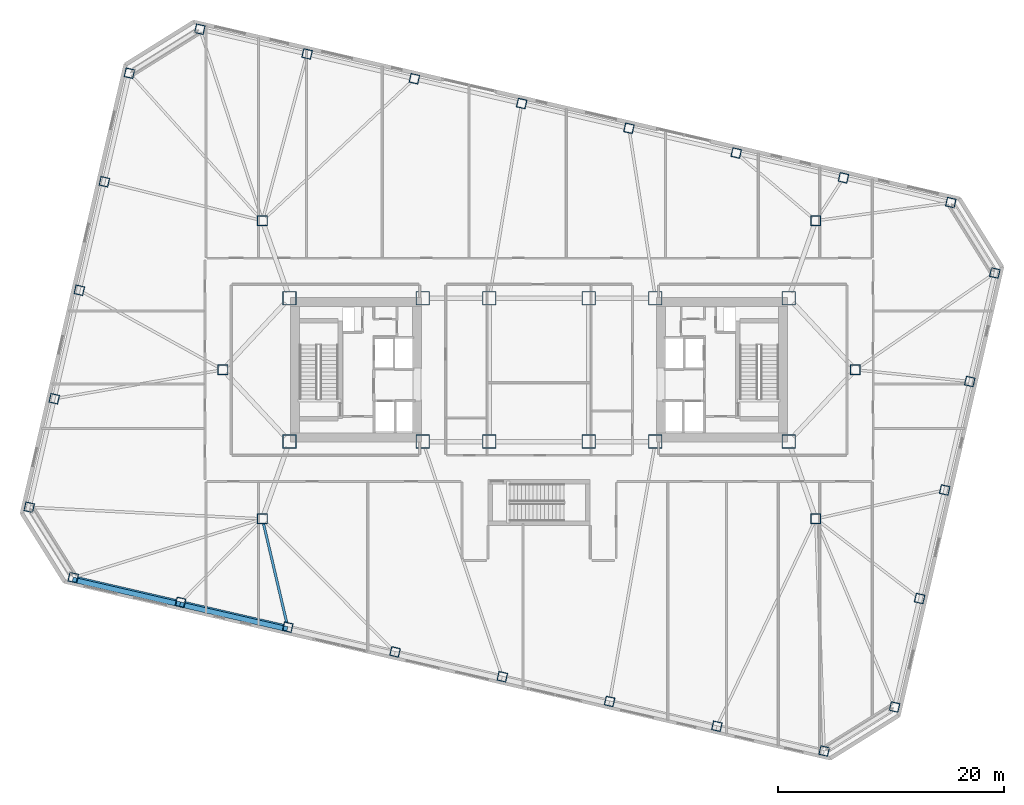
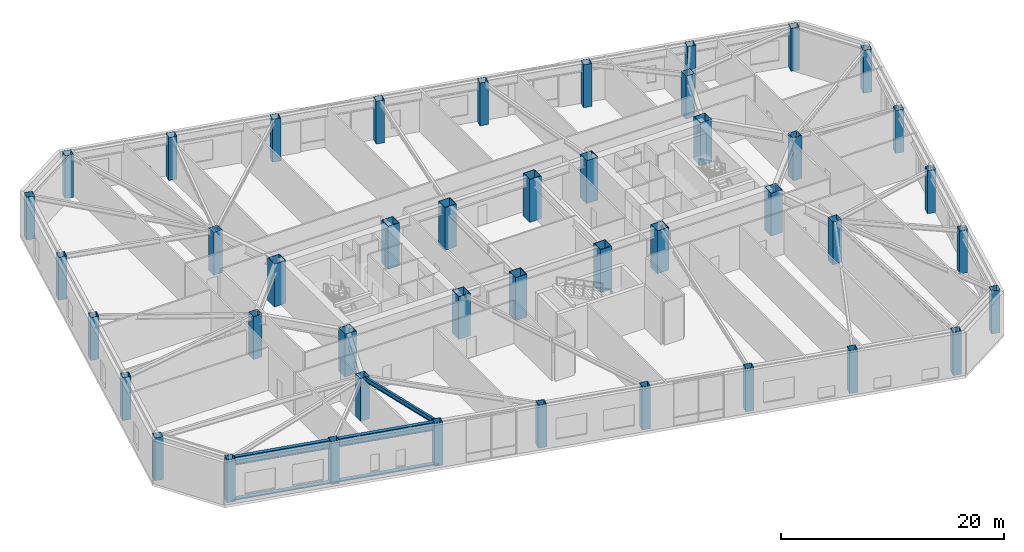
# One storey, part 1 of 21: 44 columns, 3 beams, 2 members.
"""IFC4 building model written with IfcOpenShell, lengths in metres."""

from ifc_helpers import new_model, si_unit, direction, frame, origin, origin_2d, place, context, subcontext, project, spatial, rectangle, hollow_rectangle, i_section, extrude, material, material_profile, profile_set, type_object, element, save


model = new_model("IFC4")

# Units and contexts
model_context = context("Model", 3, precision=1e-05, world=origin(), true_north=direction((0.0, 1.0)))
body_context = subcontext(model_context, "Body", "Model", "MODEL_VIEW")
ifc_project = project(units=[si_unit("LENGTHUNIT", "METRE"), si_unit("AREAUNIT", "SQUARE_METRE"), si_unit("VOLUMEUNIT", "CUBIC_METRE"), si_unit("PLANEANGLEUNIT", "RADIAN"), si_unit("MASSUNIT", "GRAM", prefix="KILO")], contexts=[model_context])

# Site, building, storey
site_placement = place(None, origin())
site = spatial("IfcSite", under=ifc_project, at=site_placement, CompositionType="ELEMENT")
building_placement = place(site_placement, origin())
building = spatial("IfcBuilding", under=site, at=building_placement, Name="Tavrogorsk Clinical Tower", CompositionType="ELEMENT")
storey_placement = place(building_placement, frame((0.0, 0.0, 8.39990234375)))
storey = spatial("IfcBuildingStorey", under=building, at=storey_placement, Name="L01", CompositionType="ELEMENT", Elevation=8.39990234375)

# Columns
ifc_material_1 = material(Name="Structural steel S440", Category="steel")
ifc_material_profile_1 = material_profile(ifc_material_1, hollow_rectangle(XDim=1.199951171875, YDim=1.199951171875, WallThickness=0.050048828125, at=origin_2d()), Name="BOX-1200x1200x50")
ifc_profile_set_1 = profile_set([ifc_material_profile_1], Name="Structural steel S440")
column_type_1 = type_object("IfcColumnType", Name="MegaCol_BOX1200", PredefinedType="COLUMN", material=ifc_profile_set_1)
for number, where, z_axis, x_axis, name in (
    (1, (-22.10009765625, -6.35009765625, 0.0), (0.0, 0.0, 1.0), (1.0, 0.0, 0.0), "L01 Mega Column MC-W1"),
    (2, (-22.10009765625, 6.35009765625, 0.0), (0.0, 0.0, 1.0), (1.0, 0.0, 0.0), "L01 Mega Column MC-W2"),
    (3, (-10.300048828125, -6.35009765625, 0.0), (0.0, 0.0, 1.0), (1.0, 0.0, 0.0), "L01 Mega Column MC-W3"),
    (4, (-10.300048828125, 6.35009765625, 0.0), (0.0, 0.0, 1.0), (1.0, 0.0, 0.0), "L01 Mega Column MC-W4"),
    (5, (10.300048828125, -6.35009765625, 0.0), (0.0, 0.0, 1.0), (1.0, 0.0, 0.0), "L01 Mega Column MC-E1"),
    (6, (10.300048828125, 6.35009765625, 0.0), (0.0, 0.0, 1.0), (1.0, 0.0, 0.0), "L01 Mega Column MC-E2"),
    (7, (22.10009765625, -6.35009765625, 0.0), (0.0, 0.0, 1.0), (1.0, 0.0, 0.0), "L01 Mega Column MC-E3"),
    (8, (22.10009765625, 6.35009765625, 0.0), (0.0, 0.0, 1.0), (1.0, 0.0, 0.0), "L01 Mega Column MC-E4"),
    (9, (-4.39990234375, -6.35009765625, 0.0), (0.0, 0.0, 1.0), (1.0, 0.0, 0.0), "L01 Mega Column MC-C1"),
    (10, (4.39990234375, -6.35009765625, 0.0), (0.0, 0.0, 1.0), (1.0, 0.0, 0.0), "L01 Mega Column MC-C2"),
    (11, (-4.39990234375, 6.35009765625, 0.0), (0.0, 0.0, 1.0), (1.0, 0.0, 0.0), "L01 Mega Column MC-C3"),
    (12, (4.39990234375, 6.35009765625, 0.0), (0.0, 0.0, 1.0), (1.0, 0.0, 0.0), "L01 Mega Column MC-C4"),
):
    element("IfcColumn", number, at=place(storey_placement, frame(where, z_axis=z_axis, x_axis=x_axis)), inside=storey, type_object=column_type_1, Name=name, PredefinedType="COLUMN", context=body_context, shape_type="SweptSolid", body=[
        extrude(hollow_rectangle(XDim=1.199951171875, YDim=1.199951171875, WallThickness=0.050048828125, at=origin_2d()), origin(), (0.0, 0.0, 1.0), 4.7001953125),
    ])
ifc_material_2 = material(Name="Structural steel S440", Category="steel")
ifc_material_profile_2 = material_profile(ifc_material_2, hollow_rectangle(XDim=0.89990234375, YDim=0.89990234375, WallThickness=0.0400390625, at=origin_2d()), Name="BOX-900x900x40")
ifc_profile_set_2 = profile_set([ifc_material_profile_2], Name="Structural steel S440")
column_type_2 = type_object("IfcColumnType", Name="MegaCol_BOX900", PredefinedType="COLUMN", material=ifc_profile_set_2)
for number, where, z_axis, x_axis, name in (
    (13, (-24.5, -13.199951171875, 0.0), (0.0, 0.0, 1.0), (1.0, 0.0, 0.0), "L01 Spine Pilotis Column MC-P1"),
    (14, (24.5, -13.199951171875, 0.0), (0.0, 0.0, 1.0), (1.0, 0.0, 0.0), "L01 Spine Pilotis Column MC-P2"),
    (15, (-24.5, 13.199951171875, 0.0), (0.0, 0.0, 1.0), (1.0, 0.0, 0.0), "L01 Spine Pilotis Column MC-P3"),
    (16, (24.5, 13.199951171875, 0.0), (0.0, 0.0, 1.0), (1.0, 0.0, 0.0), "L01 Spine Pilotis Column MC-P4"),
    (17, (-28.0, 0.0, 0.0), (0.0, 0.0, 1.0), (1.0, 0.0, 0.0), "L01 Spine Pilotis Column MC-P5"),
    (18, (28.0, 0.0, 0.0), (0.0, 0.0, 1.0), (1.0, 0.0, 0.0), "L01 Spine Pilotis Column MC-P6"),
):
    element("IfcColumn", number, at=place(storey_placement, frame(where, z_axis=z_axis, x_axis=x_axis)), inside=storey, type_object=column_type_2, Name=name, PredefinedType="COLUMN", context=body_context, shape_type="SweptSolid", body=[
        extrude(hollow_rectangle(XDim=0.89990234375, YDim=0.89990234375, WallThickness=0.0400390625, at=origin_2d()), origin(), (0.0, 0.0, 1.0), 4.7001953125),
    ])
ifc_material_3 = material(Name="Structural steel S440", Category="steel")
ifc_material_profile_3 = material_profile(ifc_material_3, hollow_rectangle(XDim=0.800048828125, YDim=0.800048828125, WallThickness=0.035888671875, at=origin_2d()), Name="BOX-800x800x36")
ifc_profile_set_3 = profile_set([ifc_material_profile_3], Name="Structural steel S440")
column_type_3 = type_object("IfcColumnType", Name="PerimCol_B1_BOX800", PredefinedType="COLUMN", material=ifc_profile_set_3)
for number, where, z_axis, x_axis, name in (
    (19, (-41.251220703125, -18.406005859375, 0.0), (0.0, 0.0, 1.0), (0.974370064785, -0.224951054344, 0.0), "L01 Perimeter Column S1"),
    (20, (-31.75244140625, -20.598876953125, 0.0), (0.0, 0.0, 1.0), (0.974370064785, -0.224951054344, 0.0), "L01 Perimeter Column S2"),
    (21, (-22.25390625, -22.7919921875, 0.0), (0.0, 0.0, 1.0), (0.974370064785, -0.224951054344, 0.0), "L01 Perimeter Column S3"),
    (22, (-12.755126953125, -24.98486328125, 0.0), (0.0, 0.0, 1.0), (0.974370064785, -0.224951054344, 0.0), "L01 Perimeter Column S4"),
    (23, (-3.25634765625, -27.177734375, 0.0), (0.0, 0.0, 1.0), (0.974370064785, -0.224951054344, 0.0), "L01 Perimeter Column S5"),
    (24, (6.2421875, -29.37060546875, 0.0), (0.0, 0.0, 1.0), (0.974370064785, -0.224951054344, 0.0), "L01 Perimeter Column S6"),
    (25, (15.740966796875, -31.563720703125, 0.0), (0.0, 0.0, 1.0), (0.974370064785, -0.224951054344, 0.0), "L01 Perimeter Column S7"),
    (26, (25.23974609375, -33.756591796875, 0.0), (0.0, 0.0, 1.0), (0.974370064785, -0.224951054344, 0.0), "L01 Perimeter Column S8"),
    (27, (36.451416015625, 14.805908203125, 0.0), (0.0, 0.0, 1.0), (0.974370064785, -0.224951054344, 0.0), "L01 Perimeter Column N1"),
    (28, (26.952392578125, 16.998779296875, 0.0), (0.0, 0.0, 1.0), (0.974370064785, -0.224951054344, 0.0), "L01 Perimeter Column N2"),
    (29, (17.453857421875, 19.19189453125, 0.0), (0.0, 0.0, 1.0), (0.974370064785, -0.224951054344, 0.0), "L01 Perimeter Column N3"),
    (30, (7.955078125, 21.384765625, 0.0), (0.0, 0.0, 1.0), (0.974370064785, -0.224951054344, 0.0), "L01 Perimeter Column N4"),
    (31, (-1.543701171875, 23.577880859375, 0.0), (0.0, 0.0, 1.0), (0.974370064785, -0.224951054344, 0.0), "L01 Perimeter Column N5"),
    (32, (-11.042236328125, 25.770751953125, 0.0), (0.0, 0.0, 1.0), (0.974370064785, -0.224951054344, 0.0), "L01 Perimeter Column N6"),
    (33, (-20.541015625, 27.963623046875, 0.0), (0.0, 0.0, 1.0), (0.974370064785, -0.224951054344, 0.0), "L01 Perimeter Column N7"),
    (34, (-30.039794921875, 30.156494140625, 0.0), (0.0, 0.0, 1.0), (0.974370064785, -0.224951054344, 0.0), "L01 Perimeter Column N8"),
    (35, (31.476318359375, -29.859619140625, 0.0), (0.0, 0.0, 1.0), (0.974370064785, -0.224951054344, 0.0), "L01 Perimeter Column E1"),
    (36, (33.694091796875, -20.25244140625, 0.0), (0.0, 0.0, 1.0), (0.974370064785, -0.224951054344, 0.0), "L01 Perimeter Column E2"),
    (37, (35.912109375, -10.64501953125, 0.0), (0.0, 0.0, 1.0), (0.974370064785, -0.224951054344, 0.0), "L01 Perimeter Column E3"),
    (38, (38.130126953125, -1.037841796875, 0.0), (0.0, 0.0, 1.0), (0.974370064785, -0.224951054344, 0.0), "L01 Perimeter Column E4"),
    (39, (40.348388671875, 8.569580078125, 0.0), (0.0, 0.0, 1.0), (0.974370064785, -0.224951054344, 0.0), "L01 Perimeter Column E5"),
    (40, (-36.276123046875, 26.259765625, 0.0), (0.0, 0.0, 1.0), (0.974370064785, -0.224951054344, 0.0), "L01 Perimeter Column W1"),
    (41, (-38.494140625, 16.65234375, 0.0), (0.0, 0.0, 1.0), (0.974370064785, -0.224951054344, 0.0), "L01 Perimeter Column W2"),
    (42, (-40.712158203125, 7.045166015625, 0.0), (0.0, 0.0, 1.0), (0.974370064785, -0.224951054344, 0.0), "L01 Perimeter Column W3"),
    (43, (-42.93017578125, -2.562255859375, 0.0), (0.0, 0.0, 1.0), (0.974370064785, -0.224951054344, 0.0), "L01 Perimeter Column W4"),
    (44, (-45.148193359375, -12.16943359375, 0.0), (0.0, 0.0, 1.0), (0.974370064785, -0.224951054344, 0.0), "L01 Perimeter Column W5"),
):
    element("IfcColumn", number, at=place(storey_placement, frame(where, z_axis=z_axis, x_axis=x_axis)), inside=storey, type_object=column_type_3, Name=name, PredefinedType="COLUMN", context=body_context, shape_type="SweptSolid", body=[
        extrude(hollow_rectangle(XDim=0.800048828125, YDim=0.800048828125, WallThickness=0.035888671875, at=origin_2d()), origin(), (0.0, 0.0, 1.0), 4.7001953125),
    ])

# Members
ifc_material_4 = material(Name="Anodised aluminium alloy AW-6063", Category="aluminium")
ifc_material_profile_4 = material_profile(ifc_material_4, rectangle(XDim=0.449951171875, YDim=0.1201171875, at=origin_2d()), Name="ALU-SUNSHADE-450x120")
ifc_profile_set_4 = profile_set([ifc_material_profile_4], Name="Anodised aluminium alloy AW-6063")
member_type = type_object("IfcMemberType", Name="ChicagoSunshade_450x120", PredefinedType="USERDEFINED", material=ifc_profile_set_4)
member_1_placement = place(storey_placement, frame((-41.291748046875, -18.581298828125, 0.18017578125), z_axis=(0.974366709214, -0.224965588425, 0.0), x_axis=(0.224965588425, 0.974366709214, 0.0)))
element("IfcMember", 45, at=member_1_placement, inside=storey, type_object=member_type, Name="L01 South Aluminium Sunshade S1", ObjectType="SUNSHADE", PredefinedType="USERDEFINED", context=body_context, shape_type="SweptSolid", body=[
    extrude(rectangle(XDim=0.449951171875, YDim=0.1201171875, at=origin_2d()), origin(), (0.0, 0.0, 1.0), 9.748779296875),
])
member_2_placement = place(storey_placement, frame((-31.79296875, -20.7744140625, 0.18017578125), z_axis=(0.974370931236, -0.2249473013, 0.0), x_axis=(0.2249473013, 0.974370931236, 0.0)))
element("IfcMember", 46, at=member_2_placement, inside=storey, type_object=member_type, Name="L01 South Aluminium Sunshade S2", ObjectType="SUNSHADE", PredefinedType="USERDEFINED", context=body_context, shape_type="SweptSolid", body=[
    extrude(rectangle(XDim=0.449951171875, YDim=0.1201171875, at=origin_2d()), origin(), (0.0, 0.0, 1.0), 9.748291015625),
])

# Beams
ifc_material_5 = material(Name="Structural steel S355", Category="steel")
ifc_material_profile_5 = material_profile(ifc_material_5, i_section(OverallWidth=0.219970703125, OverallDepth=0.5, WebThickness=0.012939453125, FlangeThickness=0.02001953125, at=origin_2d()), Name="B-500x220x13x20")
ifc_profile_set_5 = profile_set([ifc_material_profile_5], Name="Structural steel S355")
beam_type_1 = type_object("IfcBeamType", Name="FloorBeam_B500", PredefinedType="BEAM", material=ifc_profile_set_5)
beam_placement = place(storey_placement, frame((-24.406494140625, -13.59912109375, 4.4501953125), z_axis=(0.227996771429, -0.973661888038, 0.0), x_axis=(0.973661888038, 0.227996771429, 0.0)))
element("IfcBeam", 47, at=beam_placement, inside=storey, type_object=beam_type_1, Name="L01 Radial Floor Beam S3", PredefinedType="BEAM", context=body_context, shape_type="SweptSolid", body=[
    extrude(i_section(OverallWidth=0.219970703125, OverallDepth=0.5, WebThickness=0.012939453125, FlangeThickness=0.02001953125, at=origin_2d()), origin(), (0.0, 0.0, 1.0), 9.033447265625),
])
ifc_material_6 = material(Name="Structural steel S440", Category="steel")
ifc_material_profile_6 = material_profile(ifc_material_6, i_section(OverallWidth=0.360107421875, OverallDepth=0.89990234375, WebThickness=0.02392578125, FlangeThickness=0.0400390625, at=origin_2d()), Name="DK-900x360x24x40")
ifc_profile_set_6 = profile_set([ifc_material_profile_6], Name="Structural steel S440")
beam_type_2 = type_object("IfcBeamType", Name="TransferGirder_DK900", PredefinedType="USERDEFINED", material=ifc_profile_set_6)
for number, where, z_axis, x_axis, name in (
    (48, (-40.853759765625, -18.497802734375, 4.25), (0.974372766602, -0.224939351168, 0.0), (0.224939351168, 0.974372766602, 0.0), "L01 Perimeter Spandrel S1-S2"),
    (49, (-31.35498046875, -20.690673828125, 4.25), (0.974366775889, -0.224965299645, 0.0), (0.224965299645, 0.974366775889, 0.0), "L01 Perimeter Spandrel S2-S3"),
):
    element("IfcBeam", number, at=place(storey_placement, frame(where, z_axis=z_axis, x_axis=x_axis)), inside=storey, type_object=beam_type_2, Name=name, ObjectType="GIRDER", PredefinedType="USERDEFINED", context=body_context, shape_type="SweptSolid", body=[
        extrude(i_section(OverallWidth=0.360107421875, OverallDepth=0.89990234375, WebThickness=0.02392578125, FlangeThickness=0.0400390625, at=origin_2d()), origin(), (0.0, 0.0, 1.0), 8.9326171875),
    ])

save(model, "model.ifc")
